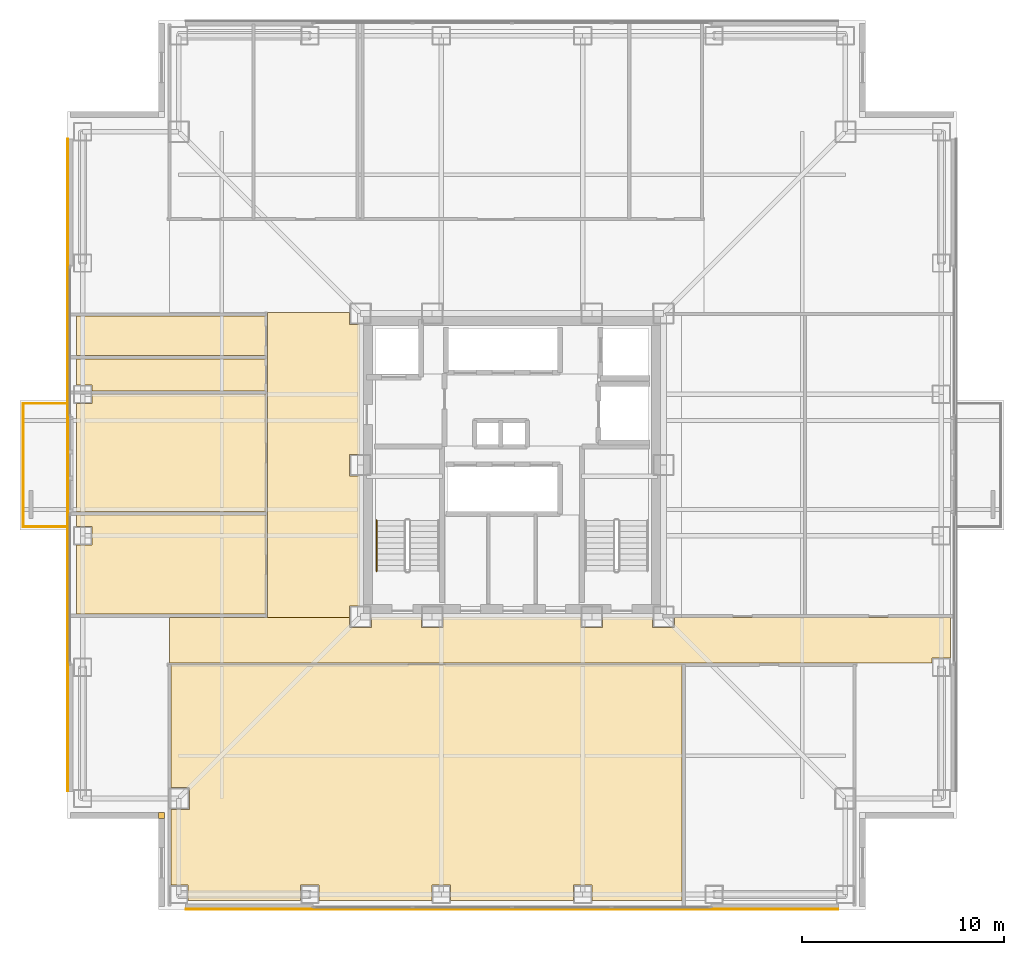
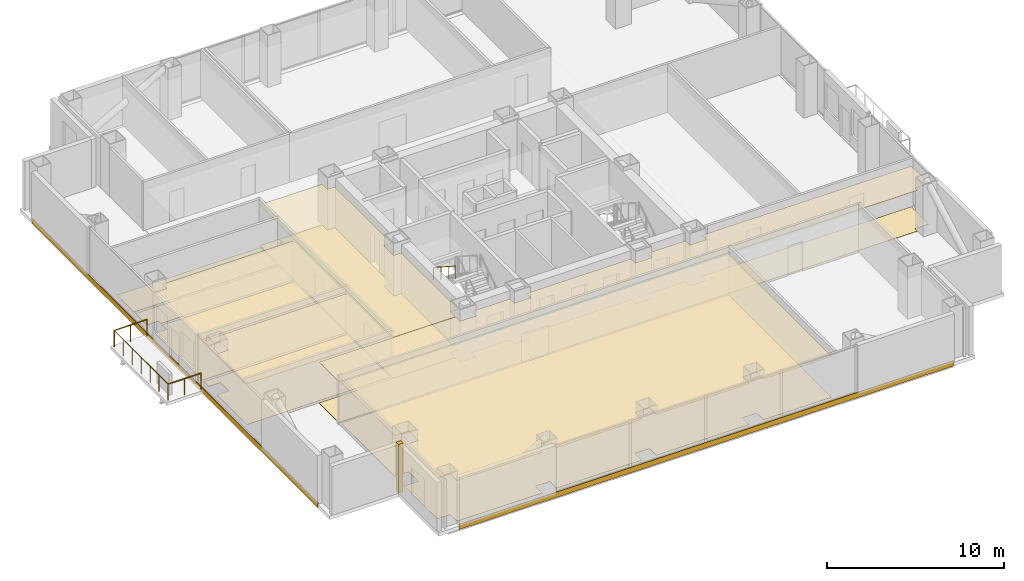
# One storey, part 14 of 16: 15 coverings, 4 railings.
"""IFC4 building model written with IfcOpenShell, lengths in metres."""

from ifc_helpers import new_model, si_unit, direction, frame, frame_2d, origin, origin_2d, place, context, subcontext, project, spatial, polyline, rectangle, circle, outline, extrude, material, layer, layer_set, type_object, element, save


model = new_model("IFC4")

# Units and contexts
model_context = context("Model", 3, precision=1e-05, world=origin(), true_north=direction((0.0, 1.0)))
body_context = subcontext(model_context, "Body", "Model", "MODEL_VIEW")
ifc_project = project(units=[si_unit("LENGTHUNIT", "METRE"), si_unit("AREAUNIT", "SQUARE_METRE"), si_unit("VOLUMEUNIT", "CUBIC_METRE"), si_unit("PLANEANGLEUNIT", "RADIAN"), si_unit("MASSUNIT", "GRAM", prefix="KILO")], contexts=[model_context])

# Site, building, storey
site_placement = place(None, origin())
site = spatial("IfcSite", under=ifc_project, at=site_placement, CompositionType="ELEMENT")
building_placement = place(site_placement, origin())
building = spatial("IfcBuilding", under=site, at=building_placement, Name="Trevonay Congress Spire", CompositionType="ELEMENT")
storey_placement = place(building_placement, frame((0.0, 0.0, 144.39990234375)))
storey = spatial("IfcBuildingStorey", under=building, at=storey_placement, Name="L37", CompositionType="ELEMENT", Elevation=144.39990234375)

# Coverings
ifc_material_1 = material(Name="Acoustic Mineral Fibre Board", Category="gypsum")
ifc_layer_1 = layer(ifc_material_1, 0.02490234375, Name="Acoustic Mineral Fibre Board")
ifc_layer_set_1 = layer_set([ifc_layer_1], Name="Acoustic Mineral Fibre Board")
covering_type_1 = type_object("IfcCoveringType", Name="COV-CEIL-ACOUSTIC", PredefinedType="CEILING", material=ifc_layer_set_1)
covering_1_placement = place(storey_placement, frame((0.0, 0.0, 2.81005859375)))
element("IfcCovering", 1, at=covering_1_placement, inside=storey, type_object=covering_type_1, Name="L37 Congress South Spine Corridor acoustic suspended ceiling", PredefinedType="CEILING", context=body_context, shape_type="SweptSolid", body=[
    extrude(outline(polyline([(-16.949951171875, -9.800048828125), (-16.949951171875, -7.550048828125), (-8.034912109375, -7.550048828125), (-8.034912109375, -8.034912109375), (-6.965087890625, -8.034912109375), (-6.965087890625, -7.550048828125), (-4.485107421875, -7.550048828125), (-4.485107421875, -8.034912109375), (-3.4150390625, -8.034912109375), (-3.4150390625, -7.550048828125), (3.4150390625, -7.550048828125), (3.4150390625, -8.034912109375), (4.485107421875, -8.034912109375), (4.485107421875, -7.550048828125), (6.965087890625, -7.550048828125), (6.965087890625, -8.034912109375), (8.034912109375, -8.034912109375), (8.034912109375, -7.550048828125), (21.699951171875, -7.550048828125), (21.699951171875, -9.5400390625), (20.7900390625, -9.5400390625), (20.7900390625, -9.800048828125), (-16.949951171875, -9.800048828125)])), origin(), (0.0, 0.0, 1.0), 0.025146484375),
])
covering_2_placement = place(storey_placement, frame((0.0, 0.0, 2.81005859375)))
element("IfcCovering", 2, at=covering_2_placement, inside=storey, type_object=covering_type_1, Name="L37 West Sky Promenade Salon acoustic suspended ceiling", PredefinedType="CEILING", context=body_context, shape_type="SweptSolid", body=[
    extrude(outline(polyline([(-12.10009765625, 7.550048828125), (-8.034912109375, 7.550048828125), (-8.034912109375, 6.965087890625), (-7.550048828125, 6.965087890625), (-7.550048828125, 0.534912109375), (-8.034912109375, 0.534912109375), (-8.034912109375, -0.534912109375), (-7.550048828125, -0.534912109375), (-7.550048828125, -6.965087890625), (-8.034912109375, -6.965087890625), (-8.034912109375, -7.5400390625), (-12.10009765625, -7.5400390625), (-12.10009765625, 7.550048828125)])), origin(), (0.0, 0.0, 1.0), 0.025146484375),
])
covering_3_placement = place(storey_placement, frame((0.0, 0.0, 2.81005859375)))
element("IfcCovering", 3, at=covering_3_placement, inside=storey, type_object=covering_type_1, Name="L37 Thematic Poster Exhibition Gallery A acoustic suspended ceiling", PredefinedType="CEILING", context=body_context, shape_type="SweptSolid", body=[
    extrude(outline(polyline([(-16.0400390625, -21.550048828125), (-16.0400390625, -20.7900390625), (-16.8701171875, -20.7900390625), (-16.8701171875, -17.034912109375), (-15.965087890625, -17.034912109375), (-15.965087890625, -15.965087890625), (-16.8701171875, -15.965087890625), (-16.8701171875, -9.8798828125), (8.419921875, -9.8798828125), (8.419921875, -21.550048828125), (3.9599609375, -21.550048828125), (3.9599609375, -20.7900390625), (3.0400390625, -20.7900390625), (3.0400390625, -21.550048828125), (-3.0400390625, -21.550048828125), (-3.0400390625, -20.7900390625), (-3.9599609375, -20.7900390625), (-3.9599609375, -21.550048828125), (-9.5400390625, -21.550048828125), (-9.5400390625, -20.7900390625), (-10.4599609375, -20.7900390625), (-10.4599609375, -21.550048828125), (-16.0400390625, -21.550048828125)])), origin(), (0.0, 0.0, 1.0), 0.025146484375),
])
covering_4_placement = place(storey_placement, frame((0.0, 0.0, 2.81005859375)))
element("IfcCovering", 4, at=covering_4_placement, inside=storey, type_object=covering_type_1, Name="L37 Television Broadcast Studio acoustic suspended ceiling", PredefinedType="CEILING", context=body_context, shape_type="SweptSolid", body=[
    extrude(outline(polyline([(-21.550048828125, -2.47998046875), (-12.179931640625, -2.47998046875), (-12.179931640625, -7.3701171875), (-21.550048828125, -7.3701171875), (-21.550048828125, -3.9599609375), (-20.7900390625, -3.9599609375), (-20.7900390625, -3.0400390625), (-21.550048828125, -3.0400390625), (-21.550048828125, -2.47998046875)])), origin(), (0.0, 0.0, 1.0), 0.025146484375),
])
covering_5_placement = place(storey_placement, frame((0.0, 0.0, 2.81005859375)))
element("IfcCovering", 5, at=covering_5_placement, inside=storey, type_object=covering_type_1, Name="L37 Broadcast Control Office acoustic suspended ceiling", PredefinedType="CEILING", context=body_context, shape_type="SweptSolid", body=[
    extrude(outline(polyline([(-12.179931640625, 3.52001953125), (-12.179931640625, -2.320068359375), (-21.550048828125, -2.320068359375), (-21.550048828125, 3.0400390625), (-20.7900390625, 3.0400390625), (-20.7900390625, 3.52001953125), (-12.179931640625, 3.52001953125)])), origin(), (0.0, 0.0, 1.0), 0.025146484375),
])
ifc_material_2 = material(Name="Polished Granite Floor Tile", Category="masonry")
ifc_layer_2 = layer(ifc_material_2, 0.02001953125, Name="Polished Granite Floor Tile")
ifc_layer_set_2 = layer_set([ifc_layer_2], Name="Polished Granite Floor Tile")
covering_type_2 = type_object("IfcCoveringType", Name="COV-FLOOR-STONE", PredefinedType="FLOORING", material=ifc_layer_set_2)
covering_6_placement = place(storey_placement, origin())
element("IfcCovering", 6, at=covering_6_placement, inside=storey, type_object=covering_type_2, Name="L37 Congress South Spine Corridor floor finish", PredefinedType="FLOORING", context=body_context, shape_type="SweptSolid", body=[
    extrude(outline(polyline([(-16.949951171875, -9.800048828125), (-16.949951171875, -7.550048828125), (-8.034912109375, -7.550048828125), (-8.034912109375, -8.034912109375), (-6.965087890625, -8.034912109375), (-6.965087890625, -7.550048828125), (-4.485107421875, -7.550048828125), (-4.485107421875, -8.034912109375), (-3.4150390625, -8.034912109375), (-3.4150390625, -7.550048828125), (3.4150390625, -7.550048828125), (3.4150390625, -8.034912109375), (4.485107421875, -8.034912109375), (4.485107421875, -7.550048828125), (6.965087890625, -7.550048828125), (6.965087890625, -8.034912109375), (8.034912109375, -8.034912109375), (8.034912109375, -7.550048828125), (21.699951171875, -7.550048828125), (21.699951171875, -9.5400390625), (20.7900390625, -9.5400390625), (20.7900390625, -9.800048828125), (-16.949951171875, -9.800048828125)])), origin(), (0.0, 0.0, 1.0), 0.02001953125),
])
covering_7_placement = place(storey_placement, origin())
element("IfcCovering", 7, at=covering_7_placement, inside=storey, type_object=covering_type_2, Name="L37 Accessible WC floor finish", PredefinedType="FLOORING", context=body_context, shape_type="SweptSolid", body=[
    extrude(outline(polyline([(-21.550048828125, 5.260009765625), (-12.179931640625, 5.260009765625), (-12.179931640625, 3.679931640625), (-20.7900390625, 3.679931640625), (-20.7900390625, 3.9599609375), (-21.550048828125, 3.9599609375), (-21.550048828125, 5.260009765625)])), origin(), (0.0, 0.0, 1.0), 0.02001953125),
])
covering_8_placement = place(storey_placement, origin())
element("IfcCovering", 8, at=covering_8_placement, inside=storey, type_object=covering_type_2, Name="L37 Floor Supplies and Copy Room floor finish", PredefinedType="FLOORING", context=body_context, shape_type="SweptSolid", body=[
    extrude(outline(polyline([(-21.550048828125, 5.419921875), (-12.179931640625, 5.419921875), (-12.179931640625, 7.3701171875), (-21.550048828125, 7.3701171875), (-21.550048828125, 5.419921875)])), origin(), (0.0, 0.0, 1.0), 0.02001953125),
])
ifc_material_3 = material(Name="Engineered Oak Flooring", Category="wood")
ifc_layer_3 = layer(ifc_material_3, 0.01806640625, Name="Engineered Oak Flooring")
ifc_layer_set_3 = layer_set([ifc_layer_3], Name="Engineered Oak Flooring")
covering_type_3 = type_object("IfcCoveringType", Name="COV-FLOOR-TIMBER", PredefinedType="FLOORING", material=ifc_layer_set_3)
covering_9_placement = place(storey_placement, origin())
element("IfcCovering", 9, at=covering_9_placement, inside=storey, type_object=covering_type_3, Name="L37 West Sky Promenade Salon floor finish", PredefinedType="FLOORING", context=body_context, shape_type="SweptSolid", body=[
    extrude(outline(polyline([(-12.10009765625, 7.550048828125), (-8.034912109375, 7.550048828125), (-8.034912109375, 6.965087890625), (-7.550048828125, 6.965087890625), (-7.550048828125, 0.534912109375), (-8.034912109375, 0.534912109375), (-8.034912109375, -0.534912109375), (-7.550048828125, -0.534912109375), (-7.550048828125, -6.965087890625), (-8.034912109375, -6.965087890625), (-8.034912109375, -7.5400390625), (-12.10009765625, -7.5400390625), (-12.10009765625, 7.550048828125)])), origin(), (0.0, 0.0, 1.0), 0.01806640625),
])
covering_10_placement = place(storey_placement, origin())
element("IfcCovering", 10, at=covering_10_placement, inside=storey, type_object=covering_type_3, Name="L37 Thematic Poster Exhibition Gallery A floor finish", PredefinedType="FLOORING", context=body_context, shape_type="SweptSolid", body=[
    extrude(outline(polyline([(-16.0400390625, -21.550048828125), (-16.0400390625, -20.7900390625), (-16.8701171875, -20.7900390625), (-16.8701171875, -17.034912109375), (-15.965087890625, -17.034912109375), (-15.965087890625, -15.965087890625), (-16.8701171875, -15.965087890625), (-16.8701171875, -9.8798828125), (8.419921875, -9.8798828125), (8.419921875, -21.550048828125), (3.9599609375, -21.550048828125), (3.9599609375, -20.7900390625), (3.0400390625, -20.7900390625), (3.0400390625, -21.550048828125), (-3.0400390625, -21.550048828125), (-3.0400390625, -20.7900390625), (-3.9599609375, -20.7900390625), (-3.9599609375, -21.550048828125), (-9.5400390625, -21.550048828125), (-9.5400390625, -20.7900390625), (-10.4599609375, -20.7900390625), (-10.4599609375, -21.550048828125), (-16.0400390625, -21.550048828125)])), origin(), (0.0, 0.0, 1.0), 0.01806640625),
])
covering_11_placement = place(storey_placement, origin())
element("IfcCovering", 11, at=covering_11_placement, inside=storey, type_object=covering_type_3, Name="L37 Television Broadcast Studio floor finish", PredefinedType="FLOORING", context=body_context, shape_type="SweptSolid", body=[
    extrude(outline(polyline([(-21.550048828125, -2.47998046875), (-12.179931640625, -2.47998046875), (-12.179931640625, -7.3701171875), (-21.550048828125, -7.3701171875), (-21.550048828125, -3.9599609375), (-20.7900390625, -3.9599609375), (-20.7900390625, -3.0400390625), (-21.550048828125, -3.0400390625), (-21.550048828125, -2.47998046875)])), origin(), (0.0, 0.0, 1.0), 0.01806640625),
])
covering_12_placement = place(storey_placement, origin())
element("IfcCovering", 12, at=covering_12_placement, inside=storey, type_object=covering_type_3, Name="L37 Broadcast Control Office floor finish", PredefinedType="FLOORING", context=body_context, shape_type="SweptSolid", body=[
    extrude(outline(polyline([(-12.179931640625, 3.52001953125), (-12.179931640625, -2.320068359375), (-21.550048828125, -2.320068359375), (-21.550048828125, 3.0400390625), (-20.7900390625, 3.0400390625), (-20.7900390625, 3.52001953125), (-12.179931640625, 3.52001953125)])), origin(), (0.0, 0.0, 1.0), 0.01806640625),
])
ifc_material_4 = material(Name="Pale Anodised Aluminium EN AW-6063-T6", Category="aluminium")
ifc_layer_4 = layer(ifc_material_4, 0.0400390625, Name="Pale Anodised Aluminium EN AW-6063-T6")
ifc_layer_set_4 = layer_set([ifc_layer_4], Name="Pale Anodised Aluminium EN AW-6063-T6")
covering_type_4 = type_object("IfcCoveringType", Name="COV-SPANDREL-PALE-METAL", PredefinedType="CLADDING", material=ifc_layer_set_4)
for number, where, z_axis, x_axis, name in (
    (13, (-16.14990234375, -21.97998046875, -0.239990234375), (0.0, 0.0, 1.0), (1.0, 0.0, 0.0), "L37 S pale-metal slab-edge spandrel cladding"),
    (14, (-21.97998046875, -16.14990234375, -0.239990234375), (0.0, 0.0, 1.0), (0.0, 1.0, 0.0), "L37 W pale-metal slab-edge spandrel cladding"),
):
    element("IfcCovering", number, at=place(storey_placement, frame(where, z_axis=z_axis, x_axis=x_axis)), inside=storey, type_object=covering_type_4, Name=name, PredefinedType="CLADDING", context=body_context, shape_type="SweptSolid", body=[
        extrude(rectangle(XDim=32.2998046875, YDim=0.0400390625, at=frame_2d((16.14990234375, 0.0))), origin(), (0.0, 0.0, 1.0), 0.360107421875),
    ])
covering_13_placement = place(storey_placement, origin())
element("IfcCovering", 15, at=covering_13_placement, inside=storey, type_object=covering_type_4, Name="L37 SW re-entrant notch corner closure trim", PredefinedType="CLADDING", context=body_context, shape_type="SweptSolid", body=[
    extrude(outline(polyline([(-17.5, -17.5), (-17.199951171875, -17.5), (-17.199951171875, -17.199951171875), (-17.5, -17.199951171875), (-17.5, -17.5)])), origin(), (0.0, 0.0, 1.0), 3.360107421875),
])

# Railings
railing_type_1 = type_object("IfcRailingType", Name="RAL-EXT-GUARD-115", PredefinedType="GUARDRAIL", material=ifc_material_4)
railing_1_placement = place(storey_placement, frame((-22.050048828125, -3.050048828125, 0.0)))
element("IfcRailing", 16, at=railing_1_placement, inside=storey, type_object=railing_type_1, Name="L37 perimeter safety guard GRD-L37-TBAL-W-1", PredefinedType="GUARDRAIL", context=body_context, shape_type="SweptSolid", body=[
    extrude(circle(Radius=0.02392578125, at=origin_2d()), frame((0.0, 0.0, 1.1259765625), z_axis=(-1.0, 0.0, 0.0), x_axis=(0.0, -1.0, 0.0)), (0.0, 0.0, 1.0), 2.14990234375),
    extrude(circle(Radius=0.02099609375, at=origin_2d()), origin(), (0.0, 0.0, 1.0), 1.101806640625),
    extrude(circle(Radius=0.02099609375, at=origin_2d()), frame((-1.074951171875, 0.0, 0.0)), (0.0, 0.0, 1.0), 1.101806640625),
    extrude(circle(Radius=0.02099609375, at=origin_2d()), frame((-2.14990234375, 0.0, 0.0)), (0.0, 0.0, 1.0), 1.101806640625),
])
railing_2_placement = place(storey_placement, frame((-24.199951171875, -3.050048828125, 0.0)))
element("IfcRailing", 17, at=railing_2_placement, inside=storey, type_object=railing_type_1, Name="L37 perimeter safety guard GRD-L37-TBAL-W-2", PredefinedType="GUARDRAIL", context=body_context, shape_type="SweptSolid", body=[
    extrude(circle(Radius=0.02392578125, at=origin_2d()), frame((0.0, 0.0, 1.1259765625), z_axis=(0.0, 1.0, 0.0), x_axis=(-1.0, 0.0, 0.0)), (0.0, 0.0, 1.0), 6.10009765625),
    extrude(circle(Radius=0.02099609375, at=origin_2d()), origin(), (0.0, 0.0, 1.0), 1.101806640625),
    extrude(circle(Radius=0.02099609375, at=origin_2d()), frame((0.0, 1.0166015625, 0.0)), (0.0, 0.0, 1.0), 1.101806640625),
    extrude(circle(Radius=0.02099609375, at=origin_2d()), frame((0.0, 2.033447265625, 0.0)), (0.0, 0.0, 1.0), 1.101806640625),
    extrude(circle(Radius=0.02099609375, at=origin_2d()), frame((0.0, 3.050048828125, 0.0)), (0.0, 0.0, 1.0), 1.101806640625),
    extrude(circle(Radius=0.02099609375, at=origin_2d()), frame((0.0, 4.066650390625, 0.0)), (0.0, 0.0, 1.0), 1.101806640625),
    extrude(circle(Radius=0.02099609375, at=origin_2d()), frame((0.0, 5.08349609375, 0.0)), (0.0, 0.0, 1.0), 1.101806640625),
    extrude(circle(Radius=0.02099609375, at=origin_2d()), frame((0.0, 6.10009765625, 0.0)), (0.0, 0.0, 1.0), 1.101806640625),
])
railing_3_placement = place(storey_placement, frame((-24.199951171875, 3.050048828125, 0.0)))
element("IfcRailing", 18, at=railing_3_placement, inside=storey, type_object=railing_type_1, Name="L37 perimeter safety guard GRD-L37-TBAL-W-3", PredefinedType="GUARDRAIL", context=body_context, shape_type="SweptSolid", body=[
    extrude(circle(Radius=0.02392578125, at=origin_2d()), frame((0.0, 0.0, 1.1259765625), z_axis=(1.0, 0.0, 0.0), x_axis=(0.0, 1.0, 0.0)), (0.0, 0.0, 1.0), 2.14990234375),
    extrude(circle(Radius=0.02099609375, at=origin_2d()), origin(), (0.0, 0.0, 1.0), 1.101806640625),
    extrude(circle(Radius=0.02099609375, at=origin_2d()), frame((1.074951171875, 0.0, 0.0)), (0.0, 0.0, 1.0), 1.101806640625),
    extrude(circle(Radius=0.02099609375, at=origin_2d()), frame((2.14990234375, 0.0, 0.0)), (0.0, 0.0, 1.0), 1.101806640625),
])
railing_type_2 = type_object("IfcRailingType", Name="RAL-STAIR-HANDRAIL", PredefinedType="HANDRAIL", material=ifc_material_4)
railing_4_placement = place(storey_placement, frame((-6.699951171875, -2.72998046875, 1.97998046875)))
element("IfcRailing", 19, at=railing_4_placement, inside=storey, type_object=railing_type_2, Name="L37 ST-1 stair handrail 2", PredefinedType="HANDRAIL", context=body_context, shape_type="SweptSolid", body=[
    extrude(circle(Radius=0.02392578125, at=origin_2d()), frame((0.0, 0.0, 0.8759765625), z_axis=(0.0, -0.841162588446, 0.540782303519), x_axis=(1.0, 0.0, 0.0)), (0.0, 0.0, 1.0), 2.995849609375),
    extrude(circle(Radius=0.02099609375, at=origin_2d()), origin(), (0.0, 0.0, 1.0), 0.851806640625),
    extrude(circle(Radius=0.02099609375, at=origin_2d()), frame((0.0, -0.840087890625, 0.5400390625)), (0.0, 0.0, 1.0), 0.851806640625),
    extrude(circle(Radius=0.02099609375, at=origin_2d()), frame((0.0, -1.679931640625, 1.080078125)), (0.0, 0.0, 1.0), 0.851806640625),
    extrude(circle(Radius=0.02099609375, at=origin_2d()), frame((0.0, -2.52001953125, 1.6201171875)), (0.0, 0.0, 1.0), 0.851806640625),
])

save(model, "model.ifc")
